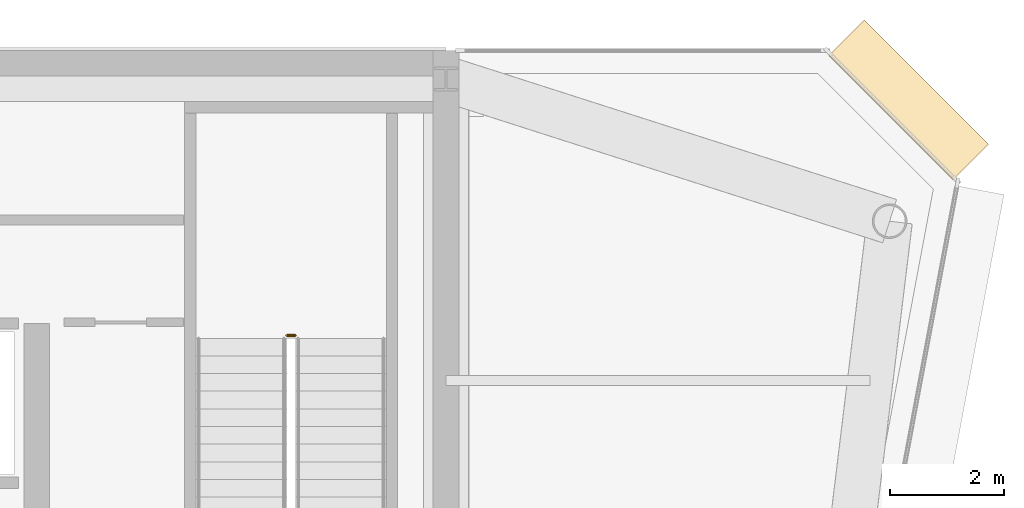
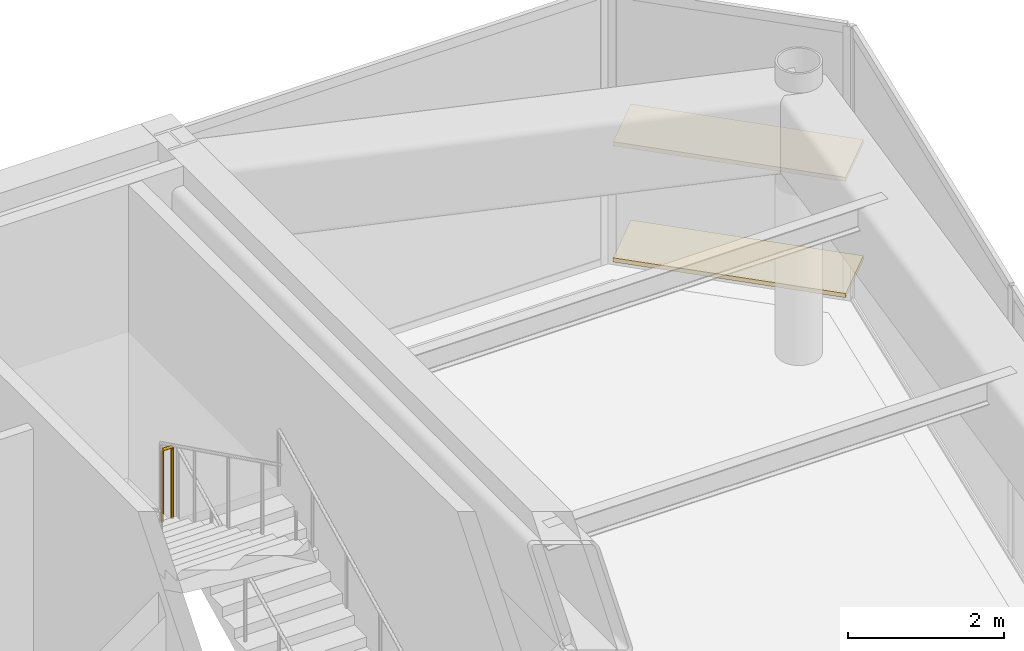
# One storey, part 20 of 20: 2 coverings, 1 railing.
"""IFC4 building model written with IfcOpenShell, lengths in metres."""

from ifc_helpers import new_model, si_unit, direction, frame, origin, origin_2d, place, context, subcontext, project, spatial, rectangle, circle, extrude, source, transform, mapped, material, layer, layer_set, type_object, element, save


model = new_model("IFC4")

# Units and contexts
model_context = context("Model", 3, precision=1e-05, world=origin(), true_north=direction((0.0, 1.0)))
body_context = subcontext(model_context, "Body", "Model", "MODEL_VIEW")
ifc_project = project(units=[si_unit("LENGTHUNIT", "METRE"), si_unit("AREAUNIT", "SQUARE_METRE"), si_unit("VOLUMEUNIT", "CUBIC_METRE"), si_unit("PLANEANGLEUNIT", "RADIAN"), si_unit("MASSUNIT", "GRAM", prefix="KILO")], contexts=[model_context])

# Site, building, storey
site_placement = place(None, origin())
site = spatial("IfcSite", under=ifc_project, at=site_placement, CompositionType="ELEMENT")
building_placement = place(site_placement, origin())
building = spatial("IfcBuilding", under=site, at=building_placement, Name="Vaeldorn Concourse Tower", CompositionType="ELEMENT")
storey_placement = place(building_placement, frame((0.0, 0.0, 299.199951171875)))
storey = spatial("IfcBuildingStorey", under=building, at=storey_placement, Name="L77", CompositionType="ELEMENT", Elevation=299.199951171875)

# Railing
ifc_material = material(Name="Anodised Bronze Aluminium", Category="aluminium")
railing_type = type_object("IfcRailingType", Name="RL-STAIR-GUARD", PredefinedType="GUARDRAIL", material=ifc_material)
railing_placement = place(storey_placement, frame((51.35009765625, 45.989990234375, 2.300048828125)))
element("IfcRailing", 1, at=railing_placement, inside=storey, type_object=railing_type, Name="L77 ST-2 stair guard 2", PredefinedType="GUARDRAIL", context=body_context, shape_type="SweptSolid", body=[
    extrude(circle(Radius=0.02392578125, at=origin_2d()), frame((0.0, 0.0, 1.1259765625), z_axis=(-1.0, 0.0, 0.0), x_axis=(0.0, -1.0, 0.0)), (0.0, 0.0, 1.0), 0.150146484375),
    extrude(circle(Radius=0.02099609375, at=origin_2d()), origin(), (0.0, 0.0, 1.0), 1.101806640625),
    extrude(circle(Radius=0.02099609375, at=origin_2d()), frame((-0.150146484375, 0.0, 0.0)), (0.0, 0.0, 1.0), 1.101806640625),
])

# Coverings
ifc_layer = layer(ifc_material, 0.06494140625)
ifc_layer_set = layer_set([ifc_layer], Name="Anodised Bronze Aluminium")
covering_type = type_object("IfcCoveringType", Name="SD-BRONZE-SUNSHADE", PredefinedType="USERDEFINED", material=ifc_layer_set)
shared_shape = source(origin(), body_context, "Body", "SweptSolid", [
    extrude(rectangle(XDim=3.0927734375, YDim=0.8798828125, at=origin_2d()), origin(), (0.0, 0.0, 1.0), 0.06494140625),
])
for number, where, z_axis, x_axis, name in (
    (2, (62.1328125, 50.1328125, 0.047607421875), (0.0, 0.0, 1.0), (-0.707106781187, 0.707106781187, 0.0), "Horizontal Bronze Sunshade L77-E08.1.1"),
    (3, (62.1328125, 50.1328125, 1.86767578125), (0.0, 0.0, 1.0), (-0.707106781187, 0.707106781187, 0.0), "Horizontal Bronze Sunshade L77-E08.1.2"),
):
    element("IfcCovering", number, at=place(storey_placement, frame(where, z_axis=z_axis, x_axis=x_axis)), inside=storey, type_object=covering_type, Name=name, ObjectType="SUNSHADE", PredefinedType="USERDEFINED", context=body_context, shape_type="MappedRepresentation", body=[
        mapped(shared_shape, transform((0.0, 0.0, 0.0), scale=1.0)),
    ])

save(model, "model.ifc")
